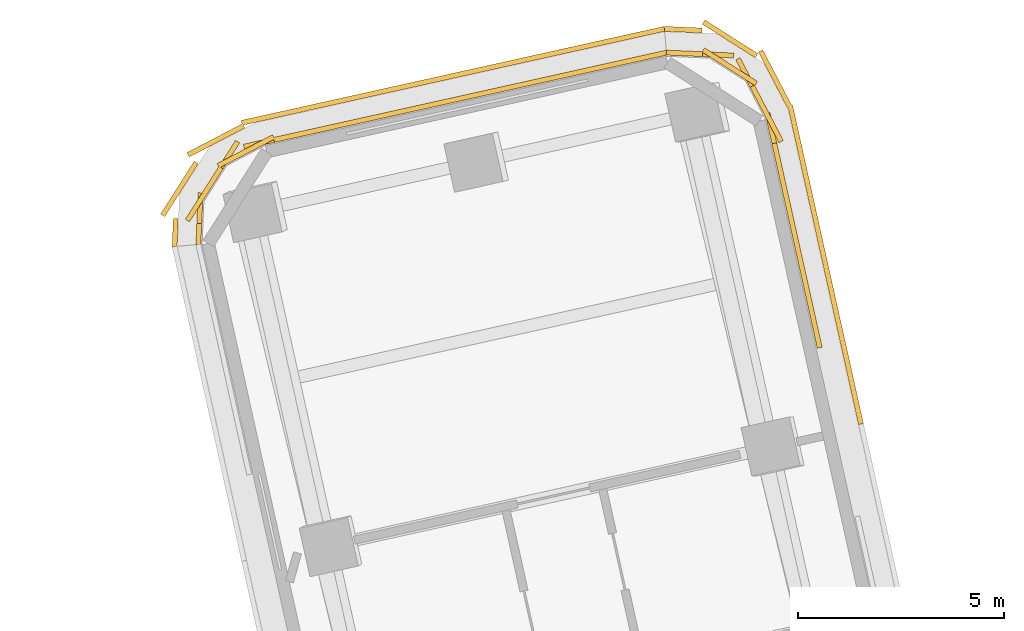
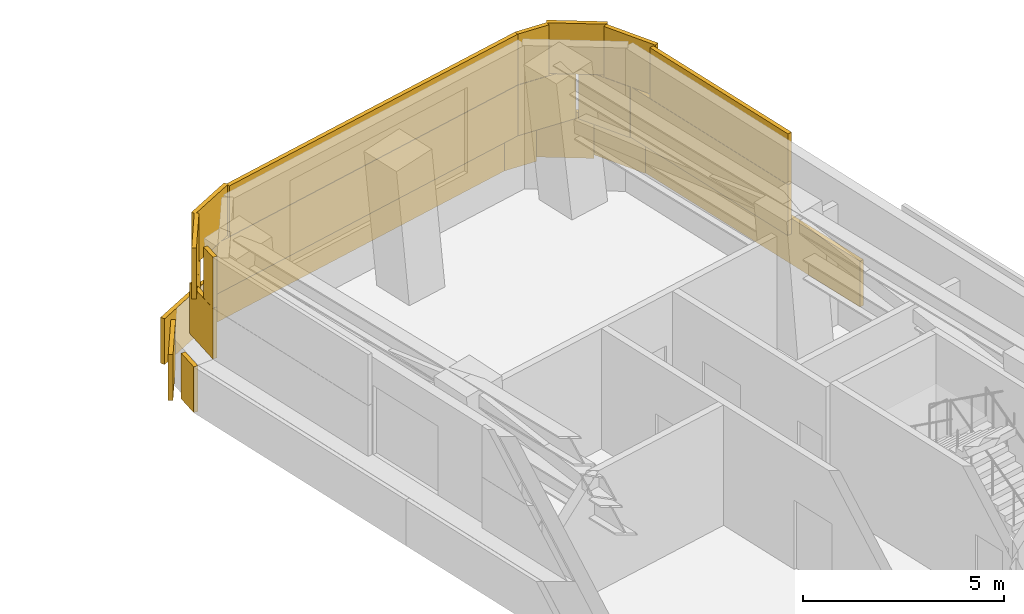
# One storey, part 22 of 22: 2 coverings.
"""IFC4 building model written with IfcOpenShell, lengths in metres."""

from ifc_helpers import new_model, si_unit, direction, frame, origin, origin_2d, place, context, subcontext, project, spatial, rectangle, extrude, material, layer, layer_set, type_object, element, save


model = new_model("IFC4")

# Units and contexts
model_context = context("Model", 3, precision=1e-05, world=origin(), true_north=direction((0.0, 1.0)))
body_context = subcontext(model_context, "Body", "Model", "MODEL_VIEW")
ifc_project = project(units=[si_unit("LENGTHUNIT", "METRE"), si_unit("AREAUNIT", "SQUARE_METRE"), si_unit("VOLUMEUNIT", "CUBIC_METRE"), si_unit("PLANEANGLEUNIT", "RADIAN"), si_unit("MASSUNIT", "GRAM", prefix="KILO")], contexts=[model_context])

# Site, building, storey
site_placement = place(None, origin())
site = spatial("IfcSite", under=ifc_project, at=site_placement, CompositionType="ELEMENT")
building_placement = place(site_placement, origin())
building = spatial("IfcBuilding", under=site, at=building_placement, Name="Tamarind Cross Interchange Tower", CompositionType="ELEMENT")
storey_placement = place(building_placement, frame((0.0, 0.0, 79.0)))
storey = spatial("IfcBuildingStorey", under=building, at=storey_placement, Name="L18", CompositionType="ELEMENT", Elevation=79.0)

# Coverings
ifc_material = material(Name="Terracotta", Category="masonry")
ifc_layer = layer(ifc_material, 0.1201171875)
ifc_layer_set = layer_set([ifc_layer], Name="Terracotta")
covering_type = type_object("IfcCoveringType", Name="Terracotta baguette screen unit", PredefinedType="MOLDING", material=ifc_layer_set)
covering_1_placement = place(storey_placement, origin())
element("IfcCovering", 1, at=covering_1_placement, inside=storey, type_object=covering_type, Name="SCR-L18-11-02", PredefinedType="MOLDING", context=body_context, shape_type="SweptSolid", body=[
    extrude(rectangle(XDim=1.331787109375, YDim=0.1201171875, at=origin_2d()), frame((2.563720703125, 43.132568359375, 1.404052734375), z_axis=(0.0, 0.0, 1.0), x_axis=(-0.217080255487, 0.976153759752, 0.0)), (0.0, 0.0, 1.0), 1.5419921875),
    extrude(rectangle(XDim=1.52001953125, YDim=0.1201171875, at=origin_2d()), frame((2.25732421875, 44.509765625, 1.404052734375), z_axis=(0.0, 0.0, 1.0), x_axis=(-0.217080255487, 0.976153759752, 0.0)), (0.0, 0.0, 1.0), 1.5419921875),
    extrude(rectangle(XDim=1.52001953125, YDim=0.1201171875, at=origin_2d()), frame((1.931884765625, 45.97412109375, 1.404052734375), z_axis=(0.0, 0.0, 1.0), x_axis=(-0.217080255487, 0.976153759752, 0.0)), (0.0, 0.0, 1.0), 1.5419921875),
    extrude(rectangle(XDim=1.52001953125, YDim=0.1201171875, at=origin_2d()), frame((1.606201171875, 47.438232421875, 1.404052734375), z_axis=(0.0, 0.0, 1.0), x_axis=(-0.217080255487, 0.976153759752, 0.0)), (0.0, 0.0, 1.0), 1.5419921875),
    extrude(rectangle(XDim=1.52001953125, YDim=0.1201171875, at=origin_2d()), frame((1.0712890625, 48.826171875, 1.404052734375), z_axis=(0.0, 0.0, 1.0), x_axis=(-0.462330609125, 0.886707622538, 0.0)), (0.0, 0.0, 1.0), 1.5419921875),
    extrude(rectangle(XDim=1.52001953125, YDim=0.1201171875, at=origin_2d()), frame((-0.141845703125, 49.60986328125, 1.404052734375), z_axis=(0.0, 0.0, 1.0), x_axis=(-0.999076631409, 0.04296375882, 0.0)), (0.0, 0.0, 1.0), 1.5419921875),
    extrude(rectangle(XDim=0.133056640625, YDim=0.1201171875, at=origin_2d()), frame((-0.95263671875, 49.644775390625, 1.404052734375), z_axis=(0.0, 0.0, 1.0), x_axis=(-0.999076631409, 0.04296375882, 0.0)), (0.0, 0.0, 1.0), 1.5419921875),
    extrude(rectangle(XDim=0.581787109375, YDim=0.1201171875, at=origin_2d()), frame((2.64501953125, 42.7666015625, 2.9541015625), z_axis=(0.0, 0.0, 1.0), x_axis=(-0.217080255487, 0.976153759752, 0.0)), (0.0, 0.0, 1.0), 1.5419921875),
    extrude(rectangle(XDim=1.52001953125, YDim=0.1201171875, at=origin_2d()), frame((2.420166015625, 43.77783203125, 2.9541015625), z_axis=(0.0, 0.0, 1.0), x_axis=(-0.217080255487, 0.976153759752, 0.0)), (0.0, 0.0, 1.0), 1.5419921875),
    extrude(rectangle(XDim=1.52001953125, YDim=0.1201171875, at=origin_2d()), frame((2.094482421875, 45.241943359375, 2.9541015625), z_axis=(0.0, 0.0, 1.0), x_axis=(-0.217080255487, 0.976153759752, 0.0)), (0.0, 0.0, 1.0), 1.5419921875),
    extrude(rectangle(XDim=1.52001953125, YDim=0.1201171875, at=origin_2d()), frame((1.76904296875, 46.706298828125, 2.9541015625), z_axis=(0.0, 0.0, 1.0), x_axis=(-0.217080255487, 0.976153759752, 0.0)), (0.0, 0.0, 1.0), 1.5419921875),
    extrude(rectangle(XDim=1.52001953125, YDim=0.1201171875, at=origin_2d()), frame((1.41796875, 48.1611328125, 2.9541015625), z_axis=(0.0, 0.0, 1.0), x_axis=(-0.462330609125, 0.886707622538, 0.0)), (0.0, 0.0, 1.0), 1.5419921875),
    extrude(rectangle(XDim=1.52001953125, YDim=0.1201171875, at=origin_2d()), frame((0.521728515625, 49.30517578125, 2.9541015625), z_axis=(0.0, 0.0, 1.0), x_axis=(-0.843743863718, 0.536746022285, 0.0)), (0.0, 0.0, 1.0), 1.5419921875),
    extrude(rectangle(XDim=0.883056640625, YDim=0.1201171875, at=origin_2d()), frame((-0.577880859375, 49.628662109375, 2.9541015625), z_axis=(0.0, 0.0, 1.0), x_axis=(-0.999076631409, 0.04296375882, 0.0)), (0.0, 0.0, 1.0), 1.5419921875),
    extrude(rectangle(XDim=0.424072265625, YDim=0.1201171875, at=origin_2d()), frame((3.66162109375, 40.83935546875, 0.00390625), z_axis=(0.0, 0.0, 1.0), x_axis=(-0.217080255487, 0.976153759752, 0.0)), (0.0, 0.0, 1.0), 1.39208984375),
    extrude(rectangle(XDim=1.52001953125, YDim=0.1201171875, at=origin_2d()), frame((3.455078125, 41.7685546875, 0.00390625), z_axis=(0.0, 0.0, 1.0), x_axis=(-0.217080255487, 0.976153759752, 0.0)), (0.0, 0.0, 1.0), 1.39208984375),
    extrude(rectangle(XDim=1.52001953125, YDim=0.1201171875, at=origin_2d()), frame((3.12939453125, 43.23291015625, 0.00390625), z_axis=(0.0, 0.0, 1.0), x_axis=(-0.217080255487, 0.976153759752, 0.0)), (0.0, 0.0, 1.0), 1.39208984375),
    extrude(rectangle(XDim=1.52001953125, YDim=0.1201171875, at=origin_2d()), frame((2.8037109375, 44.697021484375, 0.00390625), z_axis=(0.0, 0.0, 1.0), x_axis=(-0.217080255487, 0.976153759752, 0.0)), (0.0, 0.0, 1.0), 1.39208984375),
    extrude(rectangle(XDim=1.52001953125, YDim=0.1201171875, at=origin_2d()), frame((2.478271484375, 46.161376953125, 0.00390625), z_axis=(0.0, 0.0, 1.0), x_axis=(-0.217080255487, 0.976153759752, 0.0)), (0.0, 0.0, 1.0), 1.39208984375),
    extrude(rectangle(XDim=1.52001953125, YDim=0.1201171875, at=origin_2d()), frame((2.152587890625, 47.62548828125, 0.00390625), z_axis=(0.0, 0.0, 1.0), x_axis=(-0.217080255487, 0.976153759752, 0.0)), (0.0, 0.0, 1.0), 1.39208984375),
    extrude(rectangle(XDim=1.52001953125, YDim=0.1201171875, at=origin_2d()), frame((1.62060546875, 49.014404296875, 0.00390625), z_axis=(0.0, 0.0, 1.0), x_axis=(-0.462330609125, 0.886707622538, 0.0)), (0.0, 0.0, 1.0), 1.39208984375),
    extrude(rectangle(XDim=1.52001953125, YDim=0.1201171875, at=origin_2d()), frame((0.530029296875, 49.980224609375, 0.00390625), z_axis=(0.0, 0.0, 1.0), x_axis=(-0.843743863718, 0.536746022285, 0.0)), (0.0, 0.0, 1.0), 1.39208984375),
    extrude(rectangle(XDim=0.91064453125, YDim=0.1201171875, at=origin_2d()), frame((-0.60986328125, 50.204345703125, 0.00390625), z_axis=(0.0, 0.0, 1.0), x_axis=(-0.999076631409, 0.04296375882, 0.0)), (0.0, 0.0, 1.0), 1.39208984375),
])
covering_2_placement = place(storey_placement, origin())
element("IfcCovering", 2, at=covering_2_placement, inside=storey, type_object=covering_type, Name="SCR-L18-12-00", PredefinedType="MOLDING", context=body_context, shape_type="SweptSolid", body=[
    extrude(rectangle(XDim=1.510009765625, YDim=0.1201171875, at=origin_2d()), frame((-1.74609375, 49.484619140625, 1.404052734375), z_axis=(0.0, 0.0, 1.0), x_axis=(-0.976153759752, -0.217080255487, 0.0)), (0.0, 0.0, 1.0), 1.5419921875),
    extrude(rectangle(XDim=1.52001953125, YDim=0.1201171875, at=origin_2d()), frame((-3.21044921875, 49.158935546875, 1.404052734375), z_axis=(0.0, 0.0, 1.0), x_axis=(-0.976153759752, -0.217080255487, 0.0)), (0.0, 0.0, 1.0), 1.5419921875),
    extrude(rectangle(XDim=1.52001953125, YDim=0.1201171875, at=origin_2d()), frame((-4.674560546875, 48.833251953125, 1.404052734375), z_axis=(0.0, 0.0, 1.0), x_axis=(-0.976153759752, -0.217080255487, 0.0)), (0.0, 0.0, 1.0), 1.5419921875),
    extrude(rectangle(XDim=1.52001953125, YDim=0.1201171875, at=origin_2d()), frame((-6.138916015625, 48.507568359375, 1.404052734375), z_axis=(0.0, 0.0, 1.0), x_axis=(-0.976153759752, -0.217080255487, 0.0)), (0.0, 0.0, 1.0), 1.5419921875),
    extrude(rectangle(XDim=1.52001953125, YDim=0.1201171875, at=origin_2d()), frame((-7.60302734375, 48.18212890625, 1.404052734375), z_axis=(0.0, 0.0, 1.0), x_axis=(-0.976153759752, -0.217080255487, 0.0)), (0.0, 0.0, 1.0), 1.5419921875),
    extrude(rectangle(XDim=1.52001953125, YDim=0.1201171875, at=origin_2d()), frame((-9.0673828125, 47.8564453125, 1.404052734375), z_axis=(0.0, 0.0, 1.0), x_axis=(-0.976153759752, -0.217080255487, 0.0)), (0.0, 0.0, 1.0), 1.5419921875),
    extrude(rectangle(XDim=1.52001953125, YDim=0.1201171875, at=origin_2d()), frame((-10.531494140625, 47.53076171875, 1.404052734375), z_axis=(0.0, 0.0, 1.0), x_axis=(-0.976153759752, -0.217080255487, 0.0)), (0.0, 0.0, 1.0), 1.5419921875),
    extrude(rectangle(XDim=1.52001953125, YDim=0.1201171875, at=origin_2d()), frame((-11.831787109375, 46.84521484375, 1.404052734375), z_axis=(0.0, 0.0, 1.0), x_axis=(-0.536746022285, -0.843743863718, 0.0)), (0.0, 0.0, 1.0), 1.5419921875),
    extrude(rectangle(XDim=1.259521484375, YDim=0.1201171875, at=origin_2d()), frame((-12.349365234375, 45.615966796875, 1.404052734375), z_axis=(0.0, 0.0, 1.0), x_axis=(-0.04296375882, -0.999076631409, 0.0)), (0.0, 0.0, 1.0), 1.5419921875),
    extrude(rectangle(XDim=0.760009765625, YDim=0.1201171875, at=origin_2d()), frame((-1.380126953125, 49.56591796875, 2.9541015625), z_axis=(0.0, 0.0, 1.0), x_axis=(-0.976153759752, -0.217080255487, 0.0)), (0.0, 0.0, 1.0), 1.5419921875),
    extrude(rectangle(XDim=1.52001953125, YDim=0.1201171875, at=origin_2d()), frame((-2.478271484375, 49.32177734375, 2.9541015625), z_axis=(0.0, 0.0, 1.0), x_axis=(-0.976153759752, -0.217080255487, 0.0)), (0.0, 0.0, 1.0), 1.5419921875),
    extrude(rectangle(XDim=1.52001953125, YDim=0.1201171875, at=origin_2d()), frame((-3.9423828125, 48.99609375, 2.9541015625), z_axis=(0.0, 0.0, 1.0), x_axis=(-0.976153759752, -0.217080255487, 0.0)), (0.0, 0.0, 1.0), 1.5419921875),
    extrude(rectangle(XDim=1.52001953125, YDim=0.1201171875, at=origin_2d()), frame((-5.40673828125, 48.67041015625, 2.9541015625), z_axis=(0.0, 0.0, 1.0), x_axis=(-0.976153759752, -0.217080255487, 0.0)), (0.0, 0.0, 1.0), 1.5419921875),
    extrude(rectangle(XDim=1.52001953125, YDim=0.1201171875, at=origin_2d()), frame((-6.870849609375, 48.3447265625, 2.9541015625), z_axis=(0.0, 0.0, 1.0), x_axis=(-0.976153759752, -0.217080255487, 0.0)), (0.0, 0.0, 1.0), 1.5419921875),
    extrude(rectangle(XDim=1.52001953125, YDim=0.1201171875, at=origin_2d()), frame((-8.335205078125, 48.019287109375, 2.9541015625), z_axis=(0.0, 0.0, 1.0), x_axis=(-0.976153759752, -0.217080255487, 0.0)), (0.0, 0.0, 1.0), 1.5419921875),
    extrude(rectangle(XDim=1.52001953125, YDim=0.1201171875, at=origin_2d()), frame((-9.79931640625, 47.693603515625, 2.9541015625), z_axis=(0.0, 0.0, 1.0), x_axis=(-0.976153759752, -0.217080255487, 0.0)), (0.0, 0.0, 1.0), 1.5419921875),
    extrude(rectangle(XDim=1.52001953125, YDim=0.1201171875, at=origin_2d()), frame((-11.220947265625, 47.251220703125, 2.9541015625), z_axis=(0.0, 0.0, 1.0), x_axis=(-0.886707622538, -0.462330609125, 0.0)), (0.0, 0.0, 1.0), 1.5419921875),
    extrude(rectangle(XDim=1.52001953125, YDim=0.1201171875, at=origin_2d()), frame((-12.234375, 46.21240234375, 2.9541015625), z_axis=(0.0, 0.0, 1.0), x_axis=(-0.536746022285, -0.843743863718, 0.0)), (0.0, 0.0, 1.0), 1.5419921875),
    extrude(rectangle(XDim=0.509521484375, YDim=0.1201171875, at=origin_2d()), frame((-12.365478515625, 45.2412109375, 2.9541015625), z_axis=(0.0, 0.0, 1.0), x_axis=(-0.04296375882, -0.999076631409, 0.0)), (0.0, 0.0, 1.0), 1.5419921875),
    extrude(rectangle(XDim=1.510009765625, YDim=0.1201171875, at=origin_2d()), frame((-1.8017578125, 50.06005859375, 0.00390625), z_axis=(0.0, 0.0, 1.0), x_axis=(-0.976153759752, -0.217080255487, 0.0)), (0.0, 0.0, 1.0), 1.39208984375),
    extrude(rectangle(XDim=1.52001953125, YDim=0.1201171875, at=origin_2d()), frame((-3.26123046875, 49.735595703125, 0.00390625), z_axis=(0.0, 0.0, 1.0), x_axis=(-0.976153759752, -0.217080255487, 0.0)), (0.0, 0.0, 1.0), 1.39208984375),
    extrude(rectangle(XDim=1.52001953125, YDim=0.1201171875, at=origin_2d()), frame((-4.725341796875, 49.409912109375, 0.00390625), z_axis=(0.0, 0.0, 1.0), x_axis=(-0.976153759752, -0.217080255487, 0.0)), (0.0, 0.0, 1.0), 1.39208984375),
    extrude(rectangle(XDim=1.52001953125, YDim=0.1201171875, at=origin_2d()), frame((-6.189697265625, 49.08447265625, 0.00390625), z_axis=(0.0, 0.0, 1.0), x_axis=(-0.976153759752, -0.217080255487, 0.0)), (0.0, 0.0, 1.0), 1.39208984375),
    extrude(rectangle(XDim=1.52001953125, YDim=0.1201171875, at=origin_2d()), frame((-7.65380859375, 48.7587890625, 0.00390625), z_axis=(0.0, 0.0, 1.0), x_axis=(-0.976153759752, -0.217080255487, 0.0)), (0.0, 0.0, 1.0), 1.39208984375),
    extrude(rectangle(XDim=1.52001953125, YDim=0.1201171875, at=origin_2d()), frame((-9.1181640625, 48.43310546875, 0.00390625), z_axis=(0.0, 0.0, 1.0), x_axis=(-0.976153759752, -0.217080255487, 0.0)), (0.0, 0.0, 1.0), 1.39208984375),
    extrude(rectangle(XDim=1.52001953125, YDim=0.1201171875, at=origin_2d()), frame((-10.582275390625, 48.107421875, 0.00390625), z_axis=(0.0, 0.0, 1.0), x_axis=(-0.976153759752, -0.217080255487, 0.0)), (0.0, 0.0, 1.0), 1.39208984375),
    extrude(rectangle(XDim=1.52001953125, YDim=0.1201171875, at=origin_2d()), frame((-11.950439453125, 47.518310546875, 0.00390625), z_axis=(0.0, 0.0, 1.0), x_axis=(-0.886707622538, -0.462330609125, 0.0)), (0.0, 0.0, 1.0), 1.39208984375),
    extrude(rectangle(XDim=1.52001953125, YDim=0.1201171875, at=origin_2d()), frame((-12.83447265625, 46.338623046875, 0.00390625), z_axis=(0.0, 0.0, 1.0), x_axis=(-0.536746022285, -0.843743863718, 0.0)), (0.0, 0.0, 1.0), 1.39208984375),
    extrude(rectangle(XDim=0.6767578125, YDim=0.1201171875, at=origin_2d()), frame((-12.938232421875, 45.279296875, 0.00390625), z_axis=(0.0, 0.0, 1.0), x_axis=(-0.04296375882, -0.999076631409, 0.0)), (0.0, 0.0, 1.0), 1.39208984375),
])

save(model, "model.ifc")
